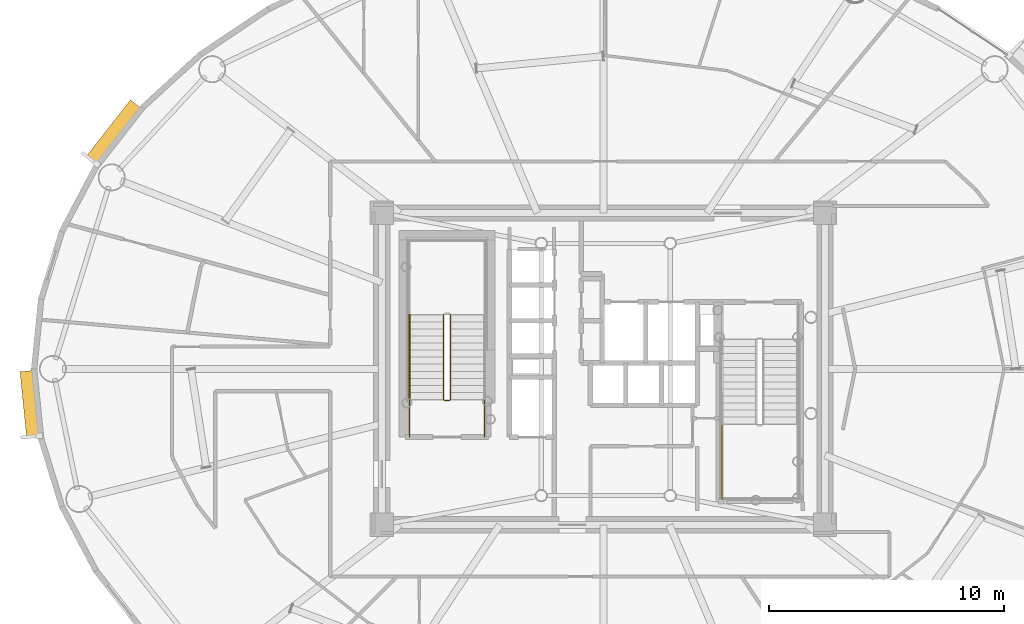
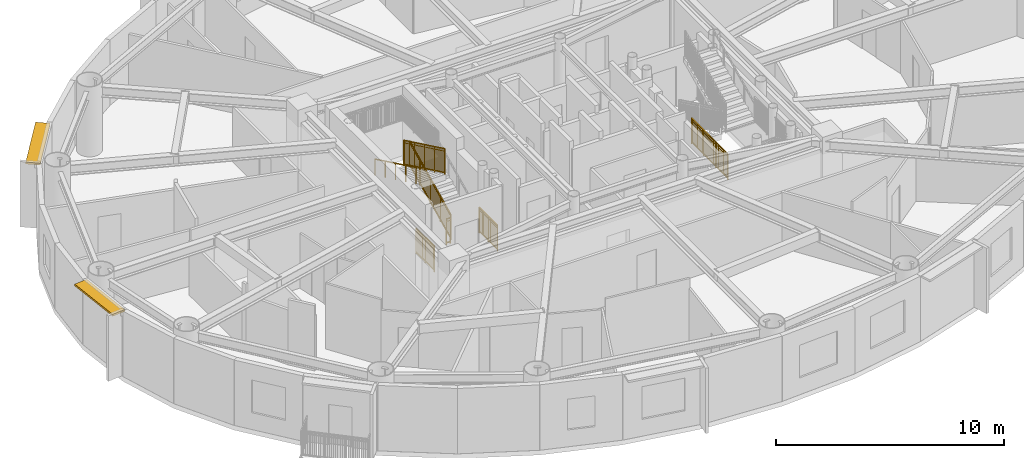
# One storey, part 14 of 19: 7 railings, 2 shading devices.
"""IFC4 building model written with IfcOpenShell, lengths in metres."""

from ifc_helpers import new_model, si_unit, direction, frame, origin, origin_2d, place, context, subcontext, project, spatial, rectangle, extrude, source, transform, mapped, material, layer, layer_set, type_object, element, save


model = new_model("IFC4")

# Units and contexts
model_context = context("Model", 3, precision=1e-05, world=origin(), true_north=direction((0.0, 1.0)))
body_context = subcontext(model_context, "Body", "Model", "MODEL_VIEW")
ifc_project = project(units=[si_unit("LENGTHUNIT", "METRE"), si_unit("AREAUNIT", "SQUARE_METRE"), si_unit("VOLUMEUNIT", "CUBIC_METRE"), si_unit("PLANEANGLEUNIT", "RADIAN"), si_unit("MASSUNIT", "GRAM", prefix="KILO")], contexts=[model_context])

# Site, building, storey
site_placement = place(None, origin())
site = spatial("IfcSite", under=ifc_project, at=site_placement, CompositionType="ELEMENT")
building_placement = place(site_placement, origin())
building = spatial("IfcBuilding", under=site, at=building_placement, Name="Linh Dai School and Residence Tower", CompositionType="ELEMENT")
storey_placement = place(building_placement, frame((0.0, 0.0, 247.800048828125)))
storey = spatial("IfcBuildingStorey", under=building, at=storey_placement, Name="L61", CompositionType="ELEMENT", Elevation=247.800048828125)

# Shading devices
ifc_material_1 = material(Name="Terracotta Ceramic Sunshade", Category="masonry")
ifc_layer = layer(ifc_material_1, 0.10009765625)
ifc_layer_set = layer_set([ifc_layer], Name="Terracotta Ceramic Sunshade")
shading_device_type = type_object("IfcShadingDeviceType", Name="SHD-TC-650", PredefinedType="USERDEFINED", material=ifc_layer_set)
shared_shape_1 = source(origin(), body_context, "Body", "SweptSolid", [
    extrude(rectangle(XDim=2.859619140625, YDim=0.64990234375, at=origin_2d()), origin(), (0.0, 0.0, 1.0), 0.10009765625),
])
shading_device_1_placement = place(storey_placement, frame((11.59033203125, 25.489501953125, 3.3798828125), z_axis=(0.0, 0.0, 1.0), x_axis=(-0.100012244219, 0.99498620644, 0.0)))
element("IfcShadingDevice", 1, at=shading_device_1_placement, inside=storey, type_object=shading_device_type, Name="L61 Terracotta Horizontal Sunshade Band 21", ObjectType="SUNSHADE", PredefinedType="USERDEFINED", context=body_context, shape_type="MappedRepresentation", body=[
    mapped(shared_shape_1, transform((0.0, 0.0, 0.0), x_axis=(1.0, 0.0, 0.0), y_axis=(0.0, 1.0, 0.0), z_axis=(0.0, 0.0, 1.0), scale=1.0)),
])
shared_shape_2 = source(origin(), body_context, "Body", "SweptSolid", [
    extrude(rectangle(XDim=3.095703125, YDim=0.64990234375, at=origin_2d()), origin(), (0.0, 0.0, 1.0), 0.10009765625),
])
shading_device_2_placement = place(storey_placement, frame((15.133544921875, 37.050537109375, 3.3798828125), z_axis=(0.0, 0.0, 1.0), x_axis=(0.616331674867, 0.787486677066, 0.0)))
element("IfcShadingDevice", 2, at=shading_device_2_placement, inside=storey, type_object=shading_device_type, Name="L61 Terracotta Horizontal Sunshade Band 17", ObjectType="SUNSHADE", PredefinedType="USERDEFINED", context=body_context, shape_type="MappedRepresentation", body=[
    mapped(shared_shape_2, transform((0.0, 0.0, 0.0), x_axis=(1.0, 0.0, 0.0), y_axis=(0.0, 1.0, 0.0), z_axis=(0.0, 0.0, 1.0), scale=1.0)),
])

# Railings
ifc_material_2 = material(Name="Structural Steel S355JR", Category="steel")
railing_type_1 = type_object("IfcRailingType", Name="RL-ST-GUARD-1400", PredefinedType="GUARDRAIL", material=ifc_material_2)
shared_shape_3 = source(origin(), body_context, "Body", "SweptSolid", [
    extrude(rectangle(XDim=0.048095703125, YDim=0.048095703125, at=origin_2d()), frame((0.0, 0.0, 1.3759765625), z_axis=(-1.0, 0.0, 0.0), x_axis=(0.0, -1.0, 0.0)), (0.0, 0.0, 1.0), 0.199951171875),
    extrude(rectangle(XDim=0.048095703125, YDim=0.048095703125, at=origin_2d()), frame((0.0, 0.0, 0.10009765625), z_axis=(-1.0, 0.0, 0.0), x_axis=(0.0, -1.0, 0.0)), (0.0, 0.0, 1.0), 0.199951171875),
    extrude(rectangle(XDim=0.030029296875, YDim=0.030029296875, at=origin_2d()), frame((0.0, 0.0, 1.239990234375), z_axis=(-1.0, 0.0, 0.0), x_axis=(0.0, -1.0, 0.0)), (0.0, 0.0, 1.0), 0.199951171875),
    extrude(rectangle(XDim=0.0419921875, YDim=0.0419921875, at=origin_2d()), origin(), (0.0, 0.0, 1.0), 1.3759765625),
    extrude(rectangle(XDim=0.0419921875, YDim=0.0419921875, at=origin_2d()), frame((-0.199951171875, 0.0, 0.0)), (0.0, 0.0, 1.0), 1.3759765625),
])
railing_1_placement = place(storey_placement, frame((29.429931640625, 25.64990234375, 0.0)))
element("IfcRailing", 3, at=railing_1_placement, inside=storey, type_object=railing_type_1, Name="L61 ST1 stair guard 7", PredefinedType="GUARDRAIL", context=body_context, shape_type="MappedRepresentation", body=[
    mapped(shared_shape_3, transform((0.0, 0.0, 0.0), x_axis=(1.0, 0.0, 0.0), y_axis=(0.0, 1.0, 0.0), z_axis=(0.0, 0.0, 1.0), scale=1.0)),
])
shared_shape_4 = source(origin(), body_context, "Body", "SweptSolid", [
    extrude(rectangle(XDim=0.048095703125, YDim=0.048095703125, at=origin_2d()), frame((0.0, 0.0, 1.3759765625), z_axis=(0.0, 1.0, 0.0), x_axis=(-1.0, 0.0, 0.0)), (0.0, 0.0, 1.0), 1.599853515625),
    extrude(rectangle(XDim=0.048095703125, YDim=0.048095703125, at=origin_2d()), frame((0.0, 0.0, 0.10009765625), z_axis=(0.0, 1.0, 0.0), x_axis=(-1.0, 0.0, 0.0)), (0.0, 0.0, 1.0), 1.599853515625),
    extrude(rectangle(XDim=0.030029296875, YDim=0.030029296875, at=origin_2d()), frame((0.0, 0.0, 1.239990234375), z_axis=(0.0, 1.0, 0.0), x_axis=(-1.0, 0.0, 0.0)), (0.0, 0.0, 1.0), 1.599853515625),
    extrude(rectangle(XDim=0.02001953125, YDim=0.02001953125, at=origin_2d()), frame((0.0, 0.093994140625, 0.10009765625)), (0.0, 0.0, 1.0), 1.251708984375),
    extrude(rectangle(XDim=0.02001953125, YDim=0.02001953125, at=origin_2d()), frame((0.0, 0.188232421875, 0.10009765625)), (0.0, 0.0, 1.0), 1.251708984375),
    extrude(rectangle(XDim=0.02001953125, YDim=0.02001953125, at=origin_2d()), frame((0.0, 0.2822265625, 0.10009765625)), (0.0, 0.0, 1.0), 1.251708984375),
    extrude(rectangle(XDim=0.02001953125, YDim=0.02001953125, at=origin_2d()), frame((0.0, 0.37646484375, 0.10009765625)), (0.0, 0.0, 1.0), 1.251708984375),
    extrude(rectangle(XDim=0.02001953125, YDim=0.02001953125, at=origin_2d()), frame((0.0, 0.470458984375, 0.10009765625)), (0.0, 0.0, 1.0), 1.251708984375),
    extrude(rectangle(XDim=0.02001953125, YDim=0.02001953125, at=origin_2d()), frame((0.0, 0.564697265625, 0.10009765625)), (0.0, 0.0, 1.0), 1.251708984375),
    extrude(rectangle(XDim=0.02001953125, YDim=0.02001953125, at=origin_2d()), frame((0.0, 0.65869140625, 0.10009765625)), (0.0, 0.0, 1.0), 1.251708984375),
    extrude(rectangle(XDim=0.02001953125, YDim=0.02001953125, at=origin_2d()), frame((0.0, 0.7529296875, 0.10009765625)), (0.0, 0.0, 1.0), 1.251708984375),
    extrude(rectangle(XDim=0.02001953125, YDim=0.02001953125, at=origin_2d()), frame((0.0, 0.846923828125, 0.10009765625)), (0.0, 0.0, 1.0), 1.251708984375),
    extrude(rectangle(XDim=0.02001953125, YDim=0.02001953125, at=origin_2d()), frame((0.0, 0.941162109375, 0.10009765625)), (0.0, 0.0, 1.0), 1.251708984375),
    extrude(rectangle(XDim=0.02001953125, YDim=0.02001953125, at=origin_2d()), frame((0.0, 1.03515625, 0.10009765625)), (0.0, 0.0, 1.0), 1.251708984375),
    extrude(rectangle(XDim=0.02001953125, YDim=0.02001953125, at=origin_2d()), frame((0.0, 1.12939453125, 0.10009765625)), (0.0, 0.0, 1.0), 1.251708984375),
    extrude(rectangle(XDim=0.02001953125, YDim=0.02001953125, at=origin_2d()), frame((0.0, 1.223388671875, 0.10009765625)), (0.0, 0.0, 1.0), 1.251708984375),
    extrude(rectangle(XDim=0.02001953125, YDim=0.02001953125, at=origin_2d()), frame((0.0, 1.317626953125, 0.10009765625)), (0.0, 0.0, 1.0), 1.251708984375),
    extrude(rectangle(XDim=0.02001953125, YDim=0.02001953125, at=origin_2d()), frame((0.0, 1.41162109375, 0.10009765625)), (0.0, 0.0, 1.0), 1.251708984375),
    extrude(rectangle(XDim=0.02001953125, YDim=0.02001953125, at=origin_2d()), frame((0.0, 1.505859375, 0.10009765625)), (0.0, 0.0, 1.0), 1.251708984375),
    extrude(rectangle(XDim=0.0419921875, YDim=0.0419921875, at=origin_2d()), origin(), (0.0, 0.0, 1.0), 1.3759765625),
    extrude(rectangle(XDim=0.0419921875, YDim=0.0419921875, at=origin_2d()), frame((0.0, 0.7998046875, 0.0)), (0.0, 0.0, 1.0), 1.3759765625),
    extrude(rectangle(XDim=0.0419921875, YDim=0.0419921875, at=origin_2d()), frame((0.0, 1.599853515625, 0.0)), (0.0, 0.0, 1.0), 1.3759765625),
])
for number, where, name in (
    (4, (30.929931640625, 24.10009765625, 0.0), "L61 ST1 stair guard 8"),
    (5, (27.72998046875, 24.10009765625, 0.0), "L61 ST1 stair guard 9"),
):
    element("IfcRailing", number, at=place(storey_placement, frame(where)), inside=storey, type_object=railing_type_1, Name=name, PredefinedType="GUARDRAIL", context=body_context, shape_type="MappedRepresentation", body=[
        mapped(shared_shape_4, transform((0.0, 0.0, 0.0), x_axis=(1.0, 0.0, 0.0), y_axis=(0.0, 1.0, 0.0), z_axis=(0.0, 0.0, 1.0), scale=1.0)),
    ])
shared_shape_5 = source(origin(), body_context, "Body", "SweptSolid", [
    extrude(rectangle(XDim=0.048095703125, YDim=0.048095703125, at=origin_2d()), frame((0.0, 0.0, 1.3759765625), z_axis=(0.0, 0.901262522062, 0.433273431364), x_axis=(-1.0, 0.0, 0.0)), (0.0, 0.0, 1.0), 3.994384765625),
    extrude(rectangle(XDim=0.048095703125, YDim=0.048095703125, at=origin_2d()), frame((0.0, 0.0, 0.10009765625), z_axis=(0.0, 0.901262522062, 0.433273431364), x_axis=(-1.0, 0.0, 0.0)), (0.0, 0.0, 1.0), 3.994384765625),
    extrude(rectangle(XDim=0.030029296875, YDim=0.030029296875, at=origin_2d()), frame((0.0, 0.0, 1.239990234375), z_axis=(0.0, 0.901262522062, 0.433273431364), x_axis=(-1.0, 0.0, 0.0)), (0.0, 0.0, 1.0), 3.994384765625),
    extrude(rectangle(XDim=0.02001953125, YDim=0.02001953125, at=origin_2d()), frame((0.0, 0.087890625, 0.142333984375)), (0.0, 0.0, 1.0), 1.251708984375),
    extrude(rectangle(XDim=0.02001953125, YDim=0.02001953125, at=origin_2d()), frame((0.0, 0.175537109375, 0.1845703125)), (0.0, 0.0, 1.0), 1.251708984375),
    extrude(rectangle(XDim=0.02001953125, YDim=0.02001953125, at=origin_2d()), frame((0.0, 0.263427734375, 0.226806640625)), (0.0, 0.0, 1.0), 1.251708984375),
    extrude(rectangle(XDim=0.02001953125, YDim=0.02001953125, at=origin_2d()), frame((0.0, 0.351318359375, 0.26904296875)), (0.0, 0.0, 1.0), 1.251708984375),
    extrude(rectangle(XDim=0.02001953125, YDim=0.02001953125, at=origin_2d()), frame((0.0, 0.43896484375, 0.311279296875)), (0.0, 0.0, 1.0), 1.251708984375),
    extrude(rectangle(XDim=0.02001953125, YDim=0.02001953125, at=origin_2d()), frame((0.0, 0.52685546875, 0.353271484375)), (0.0, 0.0, 1.0), 1.251708984375),
    extrude(rectangle(XDim=0.02001953125, YDim=0.02001953125, at=origin_2d()), frame((0.0, 0.61474609375, 0.3955078125)), (0.0, 0.0, 1.0), 1.251708984375),
    extrude(rectangle(XDim=0.02001953125, YDim=0.02001953125, at=origin_2d()), frame((0.0, 0.702392578125, 0.437744140625)), (0.0, 0.0, 1.0), 1.251708984375),
    extrude(rectangle(XDim=0.02001953125, YDim=0.02001953125, at=origin_2d()), frame((0.0, 0.790283203125, 0.47998046875)), (0.0, 0.0, 1.0), 1.251708984375),
    extrude(rectangle(XDim=0.02001953125, YDim=0.02001953125, at=origin_2d()), frame((0.0, 0.9658203125, 0.564453125)), (0.0, 0.0, 1.0), 1.251708984375),
    extrude(rectangle(XDim=0.02001953125, YDim=0.02001953125, at=origin_2d()), frame((0.0, 1.0537109375, 0.606689453125)), (0.0, 0.0, 1.0), 1.251708984375),
    extrude(rectangle(XDim=0.02001953125, YDim=0.02001953125, at=origin_2d()), frame((0.0, 1.1416015625, 0.64892578125)), (0.0, 0.0, 1.0), 1.251708984375),
    extrude(rectangle(XDim=0.02001953125, YDim=0.02001953125, at=origin_2d()), frame((0.0, 1.229248046875, 0.691162109375)), (0.0, 0.0, 1.0), 1.251708984375),
    extrude(rectangle(XDim=0.02001953125, YDim=0.02001953125, at=origin_2d()), frame((0.0, 1.317138671875, 0.7333984375)), (0.0, 0.0, 1.0), 1.251708984375),
    extrude(rectangle(XDim=0.02001953125, YDim=0.02001953125, at=origin_2d()), frame((0.0, 1.405029296875, 0.775390625)), (0.0, 0.0, 1.0), 1.251708984375),
    extrude(rectangle(XDim=0.02001953125, YDim=0.02001953125, at=origin_2d()), frame((0.0, 1.49267578125, 0.817626953125)), (0.0, 0.0, 1.0), 1.251708984375),
    extrude(rectangle(XDim=0.02001953125, YDim=0.02001953125, at=origin_2d()), frame((0.0, 1.58056640625, 0.85986328125)), (0.0, 0.0, 1.0), 1.251708984375),
    extrude(rectangle(XDim=0.02001953125, YDim=0.02001953125, at=origin_2d()), frame((0.0, 1.66845703125, 0.902099609375)), (0.0, 0.0, 1.0), 1.251708984375),
    extrude(rectangle(XDim=0.02001953125, YDim=0.02001953125, at=origin_2d()), frame((0.0, 1.756103515625, 0.9443359375)), (0.0, 0.0, 1.0), 1.251708984375),
    extrude(rectangle(XDim=0.02001953125, YDim=0.02001953125, at=origin_2d()), frame((0.0, 1.843994140625, 0.986572265625)), (0.0, 0.0, 1.0), 1.251708984375),
    extrude(rectangle(XDim=0.02001953125, YDim=0.02001953125, at=origin_2d()), frame((0.0, 1.931640625, 1.02880859375)), (0.0, 0.0, 1.0), 1.251708984375),
    extrude(rectangle(XDim=0.02001953125, YDim=0.02001953125, at=origin_2d()), frame((0.0, 2.01953125, 1.071044921875)), (0.0, 0.0, 1.0), 1.251708984375),
    extrude(rectangle(XDim=0.02001953125, YDim=0.02001953125, at=origin_2d()), frame((0.0, 2.107421875, 1.11328125)), (0.0, 0.0, 1.0), 1.251708984375),
    extrude(rectangle(XDim=0.02001953125, YDim=0.02001953125, at=origin_2d()), frame((0.0, 2.195068359375, 1.155517578125)), (0.0, 0.0, 1.0), 1.251708984375),
    extrude(rectangle(XDim=0.02001953125, YDim=0.02001953125, at=origin_2d()), frame((0.0, 2.282958984375, 1.197509765625)), (0.0, 0.0, 1.0), 1.251708984375),
    extrude(rectangle(XDim=0.02001953125, YDim=0.02001953125, at=origin_2d()), frame((0.0, 2.370849609375, 1.23974609375)), (0.0, 0.0, 1.0), 1.251708984375),
    extrude(rectangle(XDim=0.02001953125, YDim=0.02001953125, at=origin_2d()), frame((0.0, 2.45849609375, 1.281982421875)), (0.0, 0.0, 1.0), 1.251708984375),
    extrude(rectangle(XDim=0.02001953125, YDim=0.02001953125, at=origin_2d()), frame((0.0, 2.54638671875, 1.32421875)), (0.0, 0.0, 1.0), 1.251708984375),
    extrude(rectangle(XDim=0.02001953125, YDim=0.02001953125, at=origin_2d()), frame((0.0, 2.63427734375, 1.366455078125)), (0.0, 0.0, 1.0), 1.251708984375),
    extrude(rectangle(XDim=0.02001953125, YDim=0.02001953125, at=origin_2d()), frame((0.0, 2.809814453125, 1.450927734375)), (0.0, 0.0, 1.0), 1.251708984375),
    extrude(rectangle(XDim=0.02001953125, YDim=0.02001953125, at=origin_2d()), frame((0.0, 2.897705078125, 1.4931640625)), (0.0, 0.0, 1.0), 1.251708984375),
    extrude(rectangle(XDim=0.02001953125, YDim=0.02001953125, at=origin_2d()), frame((0.0, 2.9853515625, 1.535400390625)), (0.0, 0.0, 1.0), 1.251708984375),
    extrude(rectangle(XDim=0.02001953125, YDim=0.02001953125, at=origin_2d()), frame((0.0, 3.0732421875, 1.57763671875)), (0.0, 0.0, 1.0), 1.251708984375),
    extrude(rectangle(XDim=0.02001953125, YDim=0.02001953125, at=origin_2d()), frame((0.0, 3.1611328125, 1.61962890625)), (0.0, 0.0, 1.0), 1.251708984375),
    extrude(rectangle(XDim=0.02001953125, YDim=0.02001953125, at=origin_2d()), frame((0.0, 3.248779296875, 1.661865234375)), (0.0, 0.0, 1.0), 1.251708984375),
    extrude(rectangle(XDim=0.02001953125, YDim=0.02001953125, at=origin_2d()), frame((0.0, 3.336669921875, 1.7041015625)), (0.0, 0.0, 1.0), 1.251708984375),
    extrude(rectangle(XDim=0.02001953125, YDim=0.02001953125, at=origin_2d()), frame((0.0, 3.424560546875, 1.746337890625)), (0.0, 0.0, 1.0), 1.251708984375),
    extrude(rectangle(XDim=0.02001953125, YDim=0.02001953125, at=origin_2d()), frame((0.0, 3.51220703125, 1.78857421875)), (0.0, 0.0, 1.0), 1.251708984375),
    extrude(rectangle(XDim=0.0419921875, YDim=0.0419921875, at=origin_2d()), origin(), (0.0, 0.0, 1.0), 1.3759765625),
    extrude(rectangle(XDim=0.0419921875, YDim=0.0419921875, at=origin_2d()), frame((0.0, 0.89990234375, 0.4326171875)), (0.0, 0.0, 1.0), 1.3759765625),
    extrude(rectangle(XDim=0.0419921875, YDim=0.0419921875, at=origin_2d()), frame((0.0, 1.800048828125, 0.865234375)), (0.0, 0.0, 1.0), 1.3759765625),
    extrude(rectangle(XDim=0.0419921875, YDim=0.0419921875, at=origin_2d()), frame((0.0, 2.7001953125, 1.298095703125)), (0.0, 0.0, 1.0), 1.3759765625),
    extrude(rectangle(XDim=0.0419921875, YDim=0.0419921875, at=origin_2d()), frame((0.0, 3.60009765625, 1.730712890625)), (0.0, 0.0, 1.0), 1.3759765625),
])
railing_2_placement = place(storey_placement, frame((29.47998046875, 25.699951171875, 0.144287109375)))
element("IfcRailing", 6, at=railing_2_placement, inside=storey, type_object=railing_type_1, Name="L61 ST1 stair guard 1", PredefinedType="GUARDRAIL", context=body_context, shape_type="MappedRepresentation", body=[
    mapped(shared_shape_5, transform((0.0, 0.0, 0.0), x_axis=(1.0, 0.0, 0.0), y_axis=(0.0, 1.0, 0.0), z_axis=(0.0, 0.0, 1.0), scale=1.0)),
])
shared_shape_6 = source(origin(), body_context, "Body", "SweptSolid", [
    extrude(rectangle(XDim=0.048095703125, YDim=0.048095703125, at=origin_2d()), frame((0.0, 0.0, 1.3759765625), z_axis=(0.0, -0.901262522062, 0.433273431364), x_axis=(1.0, 0.0, 0.0)), (0.0, 0.0, 1.0), 3.994384765625),
    extrude(rectangle(XDim=0.048095703125, YDim=0.048095703125, at=origin_2d()), frame((0.0, 0.0, 0.10009765625), z_axis=(0.0, -0.901262522062, 0.433273431364), x_axis=(1.0, 0.0, 0.0)), (0.0, 0.0, 1.0), 3.994384765625),
    extrude(rectangle(XDim=0.030029296875, YDim=0.030029296875, at=origin_2d()), frame((0.0, 0.0, 1.239990234375), z_axis=(0.0, -0.901262522062, 0.433273431364), x_axis=(1.0, 0.0, 0.0)), (0.0, 0.0, 1.0), 3.994384765625),
    extrude(rectangle(XDim=0.02001953125, YDim=0.02001953125, at=origin_2d()), frame((0.0, -0.087890625, 0.142333984375)), (0.0, 0.0, 1.0), 1.251708984375),
    extrude(rectangle(XDim=0.02001953125, YDim=0.02001953125, at=origin_2d()), frame((0.0, -0.175537109375, 0.1845703125)), (0.0, 0.0, 1.0), 1.251708984375),
    extrude(rectangle(XDim=0.02001953125, YDim=0.02001953125, at=origin_2d()), frame((0.0, -0.263427734375, 0.226806640625)), (0.0, 0.0, 1.0), 1.251708984375),
    extrude(rectangle(XDim=0.02001953125, YDim=0.02001953125, at=origin_2d()), frame((0.0, -0.351318359375, 0.26904296875)), (0.0, 0.0, 1.0), 1.251708984375),
    extrude(rectangle(XDim=0.02001953125, YDim=0.02001953125, at=origin_2d()), frame((0.0, -0.43896484375, 0.311279296875)), (0.0, 0.0, 1.0), 1.251708984375),
    extrude(rectangle(XDim=0.02001953125, YDim=0.02001953125, at=origin_2d()), frame((0.0, -0.52685546875, 0.353271484375)), (0.0, 0.0, 1.0), 1.251708984375),
    extrude(rectangle(XDim=0.02001953125, YDim=0.02001953125, at=origin_2d()), frame((0.0, -0.61474609375, 0.3955078125)), (0.0, 0.0, 1.0), 1.251708984375),
    extrude(rectangle(XDim=0.02001953125, YDim=0.02001953125, at=origin_2d()), frame((0.0, -0.702392578125, 0.437744140625)), (0.0, 0.0, 1.0), 1.251708984375),
    extrude(rectangle(XDim=0.02001953125, YDim=0.02001953125, at=origin_2d()), frame((0.0, -0.790283203125, 0.47998046875)), (0.0, 0.0, 1.0), 1.251708984375),
    extrude(rectangle(XDim=0.02001953125, YDim=0.02001953125, at=origin_2d()), frame((0.0, -0.9658203125, 0.564453125)), (0.0, 0.0, 1.0), 1.251708984375),
    extrude(rectangle(XDim=0.02001953125, YDim=0.02001953125, at=origin_2d()), frame((0.0, -1.0537109375, 0.606689453125)), (0.0, 0.0, 1.0), 1.251708984375),
    extrude(rectangle(XDim=0.02001953125, YDim=0.02001953125, at=origin_2d()), frame((0.0, -1.1416015625, 0.64892578125)), (0.0, 0.0, 1.0), 1.251708984375),
    extrude(rectangle(XDim=0.02001953125, YDim=0.02001953125, at=origin_2d()), frame((0.0, -1.229248046875, 0.691162109375)), (0.0, 0.0, 1.0), 1.251708984375),
    extrude(rectangle(XDim=0.02001953125, YDim=0.02001953125, at=origin_2d()), frame((0.0, -1.317138671875, 0.7333984375)), (0.0, 0.0, 1.0), 1.251708984375),
    extrude(rectangle(XDim=0.02001953125, YDim=0.02001953125, at=origin_2d()), frame((0.0, -1.405029296875, 0.775390625)), (0.0, 0.0, 1.0), 1.251708984375),
    extrude(rectangle(XDim=0.02001953125, YDim=0.02001953125, at=origin_2d()), frame((0.0, -1.49267578125, 0.817626953125)), (0.0, 0.0, 1.0), 1.251708984375),
    extrude(rectangle(XDim=0.02001953125, YDim=0.02001953125, at=origin_2d()), frame((0.0, -1.58056640625, 0.85986328125)), (0.0, 0.0, 1.0), 1.251708984375),
    extrude(rectangle(XDim=0.02001953125, YDim=0.02001953125, at=origin_2d()), frame((0.0, -1.66845703125, 0.902099609375)), (0.0, 0.0, 1.0), 1.251708984375),
    extrude(rectangle(XDim=0.02001953125, YDim=0.02001953125, at=origin_2d()), frame((0.0, -1.756103515625, 0.9443359375)), (0.0, 0.0, 1.0), 1.251708984375),
    extrude(rectangle(XDim=0.02001953125, YDim=0.02001953125, at=origin_2d()), frame((0.0, -1.843994140625, 0.986572265625)), (0.0, 0.0, 1.0), 1.251708984375),
    extrude(rectangle(XDim=0.02001953125, YDim=0.02001953125, at=origin_2d()), frame((0.0, -1.931640625, 1.02880859375)), (0.0, 0.0, 1.0), 1.251708984375),
    extrude(rectangle(XDim=0.02001953125, YDim=0.02001953125, at=origin_2d()), frame((0.0, -2.01953125, 1.071044921875)), (0.0, 0.0, 1.0), 1.251708984375),
    extrude(rectangle(XDim=0.02001953125, YDim=0.02001953125, at=origin_2d()), frame((0.0, -2.107421875, 1.11328125)), (0.0, 0.0, 1.0), 1.251708984375),
    extrude(rectangle(XDim=0.02001953125, YDim=0.02001953125, at=origin_2d()), frame((0.0, -2.195068359375, 1.155517578125)), (0.0, 0.0, 1.0), 1.251708984375),
    extrude(rectangle(XDim=0.02001953125, YDim=0.02001953125, at=origin_2d()), frame((0.0, -2.282958984375, 1.197509765625)), (0.0, 0.0, 1.0), 1.251708984375),
    extrude(rectangle(XDim=0.02001953125, YDim=0.02001953125, at=origin_2d()), frame((0.0, -2.370849609375, 1.23974609375)), (0.0, 0.0, 1.0), 1.251708984375),
    extrude(rectangle(XDim=0.02001953125, YDim=0.02001953125, at=origin_2d()), frame((0.0, -2.45849609375, 1.281982421875)), (0.0, 0.0, 1.0), 1.251708984375),
    extrude(rectangle(XDim=0.02001953125, YDim=0.02001953125, at=origin_2d()), frame((0.0, -2.54638671875, 1.32421875)), (0.0, 0.0, 1.0), 1.251708984375),
    extrude(rectangle(XDim=0.02001953125, YDim=0.02001953125, at=origin_2d()), frame((0.0, -2.63427734375, 1.366455078125)), (0.0, 0.0, 1.0), 1.251708984375),
    extrude(rectangle(XDim=0.02001953125, YDim=0.02001953125, at=origin_2d()), frame((0.0, -2.809814453125, 1.450927734375)), (0.0, 0.0, 1.0), 1.251708984375),
    extrude(rectangle(XDim=0.02001953125, YDim=0.02001953125, at=origin_2d()), frame((0.0, -2.897705078125, 1.4931640625)), (0.0, 0.0, 1.0), 1.251708984375),
    extrude(rectangle(XDim=0.02001953125, YDim=0.02001953125, at=origin_2d()), frame((0.0, -2.9853515625, 1.535400390625)), (0.0, 0.0, 1.0), 1.251708984375),
    extrude(rectangle(XDim=0.02001953125, YDim=0.02001953125, at=origin_2d()), frame((0.0, -3.0732421875, 1.57763671875)), (0.0, 0.0, 1.0), 1.251708984375),
    extrude(rectangle(XDim=0.02001953125, YDim=0.02001953125, at=origin_2d()), frame((0.0, -3.1611328125, 1.61962890625)), (0.0, 0.0, 1.0), 1.251708984375),
    extrude(rectangle(XDim=0.02001953125, YDim=0.02001953125, at=origin_2d()), frame((0.0, -3.248779296875, 1.661865234375)), (0.0, 0.0, 1.0), 1.251708984375),
    extrude(rectangle(XDim=0.02001953125, YDim=0.02001953125, at=origin_2d()), frame((0.0, -3.336669921875, 1.7041015625)), (0.0, 0.0, 1.0), 1.251708984375),
    extrude(rectangle(XDim=0.02001953125, YDim=0.02001953125, at=origin_2d()), frame((0.0, -3.424560546875, 1.746337890625)), (0.0, 0.0, 1.0), 1.251708984375),
    extrude(rectangle(XDim=0.02001953125, YDim=0.02001953125, at=origin_2d()), frame((0.0, -3.51220703125, 1.78857421875)), (0.0, 0.0, 1.0), 1.251708984375),
    extrude(rectangle(XDim=0.0419921875, YDim=0.0419921875, at=origin_2d()), origin(), (0.0, 0.0, 1.0), 1.3759765625),
    extrude(rectangle(XDim=0.0419921875, YDim=0.0419921875, at=origin_2d()), frame((0.0, -0.89990234375, 0.4326171875)), (0.0, 0.0, 1.0), 1.3759765625),
    extrude(rectangle(XDim=0.0419921875, YDim=0.0419921875, at=origin_2d()), frame((0.0, -1.800048828125, 0.865234375)), (0.0, 0.0, 1.0), 1.3759765625),
    extrude(rectangle(XDim=0.0419921875, YDim=0.0419921875, at=origin_2d()), frame((0.0, -2.7001953125, 1.298095703125)), (0.0, 0.0, 1.0), 1.3759765625),
    extrude(rectangle(XDim=0.0419921875, YDim=0.0419921875, at=origin_2d()), frame((0.0, -3.60009765625, 1.730712890625)), (0.0, 0.0, 1.0), 1.3759765625),
])
railing_3_placement = place(storey_placement, frame((29.179931640625, 29.300048828125, 2.019287109375)))
element("IfcRailing", 7, at=railing_3_placement, inside=storey, type_object=railing_type_1, Name="L61 ST1 stair guard 6", PredefinedType="GUARDRAIL", context=body_context, shape_type="MappedRepresentation", body=[
    mapped(shared_shape_6, transform((0.0, 0.0, 0.0), x_axis=(1.0, 0.0, 0.0), y_axis=(0.0, 1.0, 0.0), z_axis=(0.0, 0.0, 1.0), scale=1.0)),
])
ifc_material_3 = material(Name="Brushed Stainless Steel Handrail", Category="steel")
railing_type_2 = type_object("IfcRailingType", Name="RL-ST-HANDRAIL-900", PredefinedType="HANDRAIL", material=ifc_material_3)
shared_shape_7 = source(origin(), body_context, "Body", "SweptSolid", [
    extrude(rectangle(XDim=0.048095703125, YDim=0.048095703125, at=origin_2d()), frame((0.0, 0.0, 0.8759765625), z_axis=(0.0, -0.901262522062, 0.433273431364), x_axis=(1.0, 0.0, 0.0)), (0.0, 0.0, 1.0), 3.994384765625),
    extrude(rectangle(XDim=0.0419921875, YDim=0.0419921875, at=origin_2d()), origin(), (0.0, 0.0, 1.0), 0.8759765625),
    extrude(rectangle(XDim=0.0419921875, YDim=0.0419921875, at=origin_2d()), frame((0.0, -0.89990234375, 0.4326171875)), (0.0, 0.0, 1.0), 0.8759765625),
    extrude(rectangle(XDim=0.0419921875, YDim=0.0419921875, at=origin_2d()), frame((0.0, -1.800048828125, 0.865234375)), (0.0, 0.0, 1.0), 0.8759765625),
    extrude(rectangle(XDim=0.0419921875, YDim=0.0419921875, at=origin_2d()), frame((0.0, -2.7001953125, 1.298095703125)), (0.0, 0.0, 1.0), 0.8759765625),
    extrude(rectangle(XDim=0.0419921875, YDim=0.0419921875, at=origin_2d()), frame((0.0, -3.60009765625, 1.730712890625)), (0.0, 0.0, 1.0), 0.8759765625),
])
railing_4_placement = place(storey_placement, frame((27.72998046875, 29.300048828125, 2.019287109375)))
element("IfcRailing", 8, at=railing_4_placement, inside=storey, type_object=railing_type_2, Name="L61 ST1 stair handrail 2", PredefinedType="HANDRAIL", context=body_context, shape_type="MappedRepresentation", body=[
    mapped(shared_shape_7, transform((0.0, 0.0, 0.0), x_axis=(1.0, 0.0, 0.0), y_axis=(0.0, 1.0, 0.0), z_axis=(0.0, 0.0, 1.0), scale=1.0)),
])
shared_shape_8 = source(origin(), body_context, "Body", "SweptSolid", [
    extrude(rectangle(XDim=0.048095703125, YDim=0.048095703125, at=origin_2d()), frame((0.0, 0.0, 1.3759765625), z_axis=(0.0, -1.0, 0.0), x_axis=(1.0, 0.0, 0.0)), (0.0, 0.0, 1.0), 3.199951171875),
    extrude(rectangle(XDim=0.048095703125, YDim=0.048095703125, at=origin_2d()), frame((0.0, 0.0, 0.10009765625), z_axis=(0.0, -1.0, 0.0), x_axis=(1.0, 0.0, 0.0)), (0.0, 0.0, 1.0), 3.199951171875),
    extrude(rectangle(XDim=0.030029296875, YDim=0.030029296875, at=origin_2d()), frame((0.0, 0.0, 1.239990234375), z_axis=(0.0, -1.0, 0.0), x_axis=(1.0, 0.0, 0.0)), (0.0, 0.0, 1.0), 3.199951171875),
    extrude(rectangle(XDim=0.02001953125, YDim=0.02001953125, at=origin_2d()), frame((0.0, -0.096923828125, 0.10009765625)), (0.0, 0.0, 1.0), 1.251708984375),
    extrude(rectangle(XDim=0.02001953125, YDim=0.02001953125, at=origin_2d()), frame((0.0, -0.19384765625, 0.10009765625)), (0.0, 0.0, 1.0), 1.251708984375),
    extrude(rectangle(XDim=0.02001953125, YDim=0.02001953125, at=origin_2d()), frame((0.0, -0.291015625, 0.10009765625)), (0.0, 0.0, 1.0), 1.251708984375),
    extrude(rectangle(XDim=0.02001953125, YDim=0.02001953125, at=origin_2d()), frame((0.0, -0.387939453125, 0.10009765625)), (0.0, 0.0, 1.0), 1.251708984375),
    extrude(rectangle(XDim=0.02001953125, YDim=0.02001953125, at=origin_2d()), frame((0.0, -0.48486328125, 0.10009765625)), (0.0, 0.0, 1.0), 1.251708984375),
    extrude(rectangle(XDim=0.02001953125, YDim=0.02001953125, at=origin_2d()), frame((0.0, -0.581787109375, 0.10009765625)), (0.0, 0.0, 1.0), 1.251708984375),
    extrude(rectangle(XDim=0.02001953125, YDim=0.02001953125, at=origin_2d()), frame((0.0, -0.6787109375, 0.10009765625)), (0.0, 0.0, 1.0), 1.251708984375),
    extrude(rectangle(XDim=0.02001953125, YDim=0.02001953125, at=origin_2d()), frame((0.0, -0.775634765625, 0.10009765625)), (0.0, 0.0, 1.0), 1.251708984375),
    extrude(rectangle(XDim=0.02001953125, YDim=0.02001953125, at=origin_2d()), frame((0.0, -0.872802734375, 0.10009765625)), (0.0, 0.0, 1.0), 1.251708984375),
    extrude(rectangle(XDim=0.02001953125, YDim=0.02001953125, at=origin_2d()), frame((0.0, -0.9697265625, 0.10009765625)), (0.0, 0.0, 1.0), 1.251708984375),
    extrude(rectangle(XDim=0.02001953125, YDim=0.02001953125, at=origin_2d()), frame((0.0, -1.16357421875, 0.10009765625)), (0.0, 0.0, 1.0), 1.251708984375),
    extrude(rectangle(XDim=0.02001953125, YDim=0.02001953125, at=origin_2d()), frame((0.0, -1.260498046875, 0.10009765625)), (0.0, 0.0, 1.0), 1.251708984375),
    extrude(rectangle(XDim=0.02001953125, YDim=0.02001953125, at=origin_2d()), frame((0.0, -1.357666015625, 0.10009765625)), (0.0, 0.0, 1.0), 1.251708984375),
    extrude(rectangle(XDim=0.02001953125, YDim=0.02001953125, at=origin_2d()), frame((0.0, -1.45458984375, 0.10009765625)), (0.0, 0.0, 1.0), 1.251708984375),
    extrude(rectangle(XDim=0.02001953125, YDim=0.02001953125, at=origin_2d()), frame((0.0, -1.551513671875, 0.10009765625)), (0.0, 0.0, 1.0), 1.251708984375),
    extrude(rectangle(XDim=0.02001953125, YDim=0.02001953125, at=origin_2d()), frame((0.0, -1.6484375, 0.10009765625)), (0.0, 0.0, 1.0), 1.251708984375),
    extrude(rectangle(XDim=0.02001953125, YDim=0.02001953125, at=origin_2d()), frame((0.0, -1.745361328125, 0.10009765625)), (0.0, 0.0, 1.0), 1.251708984375),
    extrude(rectangle(XDim=0.02001953125, YDim=0.02001953125, at=origin_2d()), frame((0.0, -1.84228515625, 0.10009765625)), (0.0, 0.0, 1.0), 1.251708984375),
    extrude(rectangle(XDim=0.02001953125, YDim=0.02001953125, at=origin_2d()), frame((0.0, -1.939453125, 0.10009765625)), (0.0, 0.0, 1.0), 1.251708984375),
    extrude(rectangle(XDim=0.02001953125, YDim=0.02001953125, at=origin_2d()), frame((0.0, -2.036376953125, 0.10009765625)), (0.0, 0.0, 1.0), 1.251708984375),
    extrude(rectangle(XDim=0.02001953125, YDim=0.02001953125, at=origin_2d()), frame((0.0, -2.230224609375, 0.10009765625)), (0.0, 0.0, 1.0), 1.251708984375),
    extrude(rectangle(XDim=0.02001953125, YDim=0.02001953125, at=origin_2d()), frame((0.0, -2.3271484375, 0.10009765625)), (0.0, 0.0, 1.0), 1.251708984375),
    extrude(rectangle(XDim=0.02001953125, YDim=0.02001953125, at=origin_2d()), frame((0.0, -2.42431640625, 0.10009765625)), (0.0, 0.0, 1.0), 1.251708984375),
    extrude(rectangle(XDim=0.02001953125, YDim=0.02001953125, at=origin_2d()), frame((0.0, -2.521240234375, 0.10009765625)), (0.0, 0.0, 1.0), 1.251708984375),
    extrude(rectangle(XDim=0.02001953125, YDim=0.02001953125, at=origin_2d()), frame((0.0, -2.6181640625, 0.10009765625)), (0.0, 0.0, 1.0), 1.251708984375),
    extrude(rectangle(XDim=0.02001953125, YDim=0.02001953125, at=origin_2d()), frame((0.0, -2.715087890625, 0.10009765625)), (0.0, 0.0, 1.0), 1.251708984375),
    extrude(rectangle(XDim=0.02001953125, YDim=0.02001953125, at=origin_2d()), frame((0.0, -2.81201171875, 0.10009765625)), (0.0, 0.0, 1.0), 1.251708984375),
    extrude(rectangle(XDim=0.02001953125, YDim=0.02001953125, at=origin_2d()), frame((0.0, -2.908935546875, 0.10009765625)), (0.0, 0.0, 1.0), 1.251708984375),
    extrude(rectangle(XDim=0.02001953125, YDim=0.02001953125, at=origin_2d()), frame((0.0, -3.006103515625, 0.10009765625)), (0.0, 0.0, 1.0), 1.251708984375),
    extrude(rectangle(XDim=0.02001953125, YDim=0.02001953125, at=origin_2d()), frame((0.0, -3.10302734375, 0.10009765625)), (0.0, 0.0, 1.0), 1.251708984375),
    extrude(rectangle(XDim=0.0419921875, YDim=0.0419921875, at=origin_2d()), origin(), (0.0, 0.0, 1.0), 1.3759765625),
    extrude(rectangle(XDim=0.0419921875, YDim=0.0419921875, at=origin_2d()), frame((0.0, -1.066650390625, 0.0)), (0.0, 0.0, 1.0), 1.3759765625),
    extrude(rectangle(XDim=0.0419921875, YDim=0.0419921875, at=origin_2d()), frame((0.0, -2.13330078125, 0.0)), (0.0, 0.0, 1.0), 1.3759765625),
    extrude(rectangle(XDim=0.0419921875, YDim=0.0419921875, at=origin_2d()), frame((0.0, -3.199951171875, 0.0)), (0.0, 0.0, 1.0), 1.3759765625),
])
railing_5_placement = place(storey_placement, frame((41.070068359375, 24.64990234375, 1.875)))
element("IfcRailing", 9, at=railing_5_placement, inside=storey, type_object=railing_type_1, Name="L61 ST2 stair guard 3", PredefinedType="GUARDRAIL", context=body_context, shape_type="MappedRepresentation", body=[
    mapped(shared_shape_8, transform((0.0, 0.0, 0.0), x_axis=(1.0, 0.0, 0.0), y_axis=(0.0, 1.0, 0.0), z_axis=(0.0, 0.0, 1.0), scale=1.0)),
])

save(model, "model.ifc")
